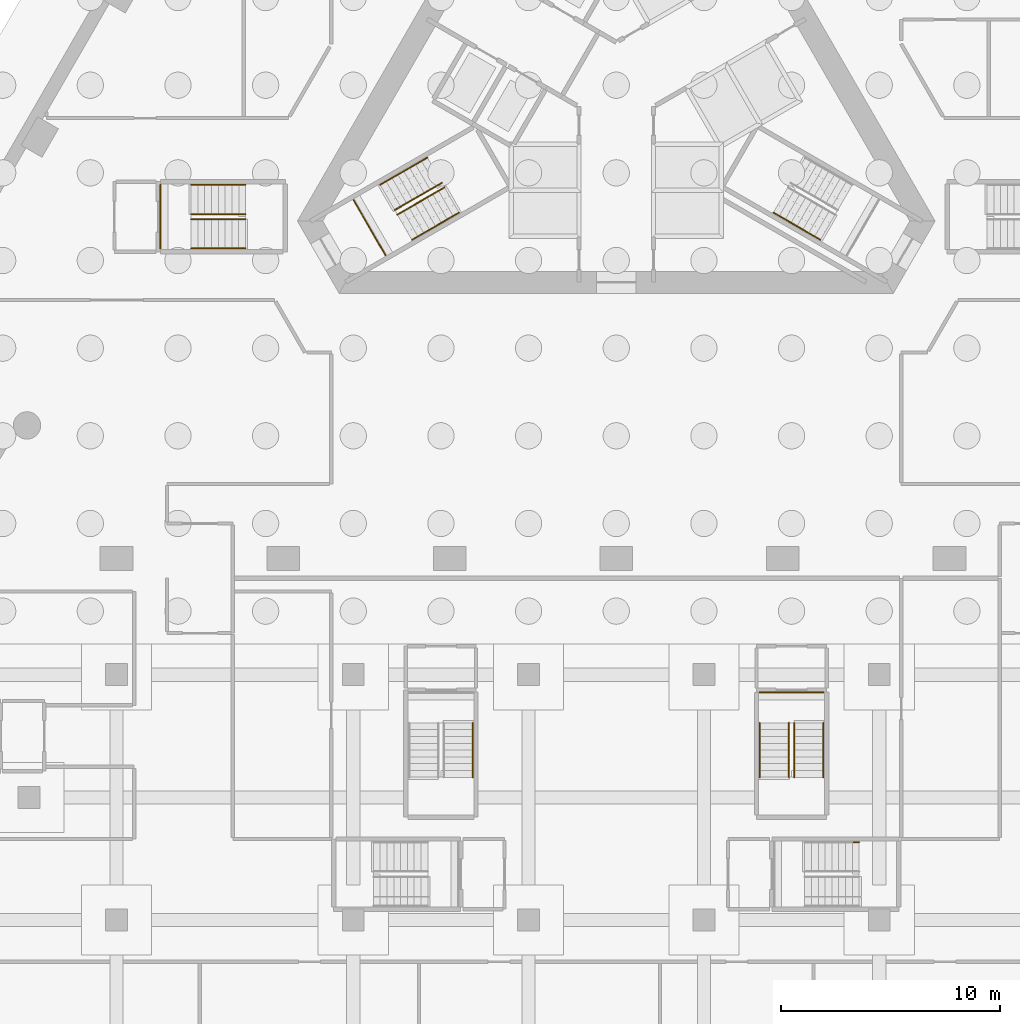
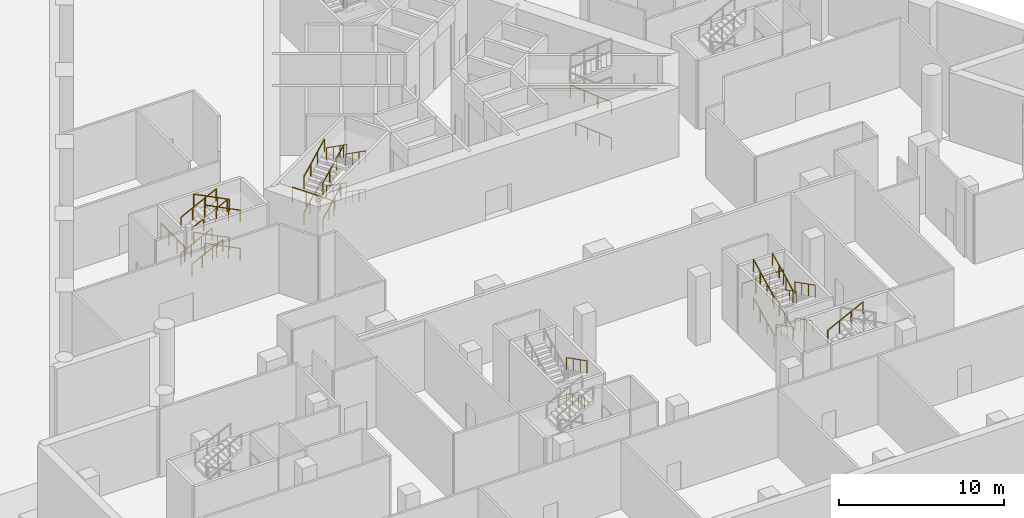
# One storey, part 17 of 20: 32 railings, 6 elements without a shape of their own.
"""IFC4 building model written with IfcOpenShell, lengths in metres."""

from ifc_helpers import new_model, si_unit, direction, frame, origin, origin_2d, place, context, subcontext, project, spatial, circle, extrude, material, type_object, element, aggregate, save


model = new_model("IFC4")

# Units and contexts
model_context = context("Model", 3, precision=1e-05, world=origin(), true_north=direction((0.0, 1.0)))
body_context = subcontext(model_context, "Body", "Model", "MODEL_VIEW")
ifc_project = project(units=[si_unit("LENGTHUNIT", "METRE"), si_unit("AREAUNIT", "SQUARE_METRE"), si_unit("VOLUMEUNIT", "CUBIC_METRE"), si_unit("PLANEANGLEUNIT", "RADIAN"), si_unit("MASSUNIT", "GRAM", prefix="KILO")], contexts=[model_context])

# Site, building, storey
site_placement = place(None, origin())
site = spatial("IfcSite", under=ifc_project, at=site_placement, CompositionType="ELEMENT")
building_placement = place(site_placement, origin())
building = spatial("IfcBuilding", under=site, at=building_placement, Name="Triada Interchange Tower", CompositionType="ELEMENT")
storey_placement = place(building_placement, frame((0.0, 0.0, -5.5)))
storey = spatial("IfcBuildingStorey", under=building, at=storey_placement, Name="B1", CompositionType="ELEMENT", Elevation=-5.5)

# Stair, railing
ifc_material_1 = material(Name="Concrete C35/45", Category="concrete")
stair_type = type_object("IfcStairType", Name="HALF TURN STAIR 1400", PredefinedType="HALF_TURN_STAIR", material=ifc_material_1)
stair_1_placement = place(storey_placement, origin())
stair_1 = element("IfcStair", 1, at=stair_1_placement, inside=storey, type_object=stair_type, Name="Exit stair SB1-2", PredefinedType="HALF_TURN_STAIR")
ifc_material_2 = material(Name="Stainless steel 1.4301", Category="steel")
railing_type_1 = type_object("IfcRailingType", Name="STAIR GUARD 1100", PredefinedType="GUARDRAIL", material=ifc_material_2)
railing_1_placement = place(storey_placement, frame((-11.98291015625, -5.243896484375, 2.67138671875)))
railing_1 = element("IfcRailing", 2, at=railing_1_placement, type_object=railing_type_1, Name="Guard SB1-2 1", PredefinedType="GUARDRAIL", context=body_context, shape_type="SweptSolid", body=[
    extrude(circle(Radius=0.02392578125, at=origin_2d()), frame((0.0, 0.0, 1.076171875), z_axis=(0.499877891294, -0.866095891802, 0.0), x_axis=(0.866095891802, 0.499877891294, 0.0)), (0.0, 0.0, 1.0), 2.900634765625),
    extrude(circle(Radius=0.02099609375, at=origin_2d()), origin(), (0.0, 0.0, 1.0), 1.052001953125),
    extrude(circle(Radius=0.02099609375, at=origin_2d()), frame((0.4833984375, -0.83740234375, 0.0)), (0.0, 0.0, 1.0), 1.052001953125),
    extrude(circle(Radius=0.02099609375, at=origin_2d()), frame((0.966552734375, -1.6748046875, 0.0)), (0.0, 0.0, 1.0), 1.052001953125),
    extrude(circle(Radius=0.02099609375, at=origin_2d()), frame((1.449951171875, -2.51220703125, 0.0)), (0.0, 0.0, 1.0), 1.052001953125),
])

stair_2_placement = place(storey_placement, origin())
stair_2 = element("IfcStair", 3, at=stair_2_placement, inside=storey, type_object=stair_type, Name="Exit stair SB1-6", PredefinedType="HALF_TURN_STAIR")
railing_2_placement = place(storey_placement, frame((-20.800048828125, -4.550048828125, 2.67138671875)))
railing_2 = element("IfcRailing", 4, at=railing_2_placement, type_object=railing_type_1, Name="Guard SB1-6 1", PredefinedType="GUARDRAIL", context=body_context, shape_type="SweptSolid", body=[
    extrude(circle(Radius=0.02392578125, at=origin_2d()), frame((0.0, 0.0, 1.076171875), z_axis=(0.0, -1.0, 0.0), x_axis=(1.0, 0.0, 0.0)), (0.0, 0.0, 1.0), 2.89990234375),
    extrude(circle(Radius=0.02099609375, at=origin_2d()), origin(), (0.0, 0.0, 1.0), 1.052001953125),
    extrude(circle(Radius=0.02099609375, at=origin_2d()), frame((0.0, -0.966552734375, 0.0)), (0.0, 0.0, 1.0), 1.052001953125),
    extrude(circle(Radius=0.02099609375, at=origin_2d()), frame((0.0, -1.933349609375, 0.0)), (0.0, 0.0, 1.0), 1.052001953125),
    extrude(circle(Radius=0.02099609375, at=origin_2d()), frame((0.0, -2.89990234375, 0.0)), (0.0, 0.0, 1.0), 1.052001953125),
])

stair_3_placement = place(storey_placement, origin())
stair_3 = element("IfcStair", 5, at=stair_3_placement, inside=storey, type_object=stair_type, Name="Exit stair SB1-10", PredefinedType="HALF_TURN_STAIR")
railing_3_placement = place(storey_placement, frame((9.449951171875, -27.699951171875, 2.67138671875)))
railing_3 = element("IfcRailing", 6, at=railing_3_placement, type_object=railing_type_1, Name="Guard SB1-10 1", PredefinedType="GUARDRAIL", context=body_context, shape_type="SweptSolid", body=[
    extrude(circle(Radius=0.02392578125, at=origin_2d()), frame((0.0, 0.0, 1.076171875), z_axis=(-1.0, 0.0, 0.0), x_axis=(0.0, -1.0, 0.0)), (0.0, 0.0, 1.0), 2.89990234375),
    extrude(circle(Radius=0.02099609375, at=origin_2d()), origin(), (0.0, 0.0, 1.0), 1.052001953125),
    extrude(circle(Radius=0.02099609375, at=origin_2d()), frame((-0.966552734375, 0.0, 0.0)), (0.0, 0.0, 1.0), 1.052001953125),
    extrude(circle(Radius=0.02099609375, at=origin_2d()), frame((-1.933349609375, 0.0, 0.0)), (0.0, 0.0, 1.0), 1.052001953125),
    extrude(circle(Radius=0.02099609375, at=origin_2d()), frame((-2.89990234375, 0.0, 0.0)), (0.0, 0.0, 1.0), 1.052001953125),
])

# Railing
railing_type_2 = type_object("IfcRailingType", Name="STAIR HANDRAIL 900", PredefinedType="HANDRAIL", material=ifc_material_2)
railing_4_placement = place(storey_placement, frame((-10.77099609375, -4.5439453125, 0.156982421875)))
railing_4 = element("IfcRailing", 7, at=railing_4_placement, type_object=railing_type_2, Name="Handrail SB1-2 1W", PredefinedType="HANDRAIL", context=body_context, shape_type="SweptSolid", body=[
    extrude(circle(Radius=0.02392578125, at=origin_2d()), frame((0.0, 0.0, 0.8759765625), z_axis=(0.772379434216, 0.446004964352, 0.452227355844), x_axis=(-0.500060114735, 0.865990693744, 0.0)), (0.0, 0.0, 1.0), 2.4326171875),
    extrude(circle(Radius=0.02099609375, at=origin_2d()), origin(), (0.0, 0.0, 1.0), 0.851806640625),
    extrude(circle(Radius=0.02099609375, at=origin_2d()), frame((0.626220703125, 0.361572265625, 0.36669921875)), (0.0, 0.0, 1.0), 0.851806640625),
    extrude(circle(Radius=0.02099609375, at=origin_2d()), frame((1.252685546875, 0.723388671875, 0.7333984375)), (0.0, 0.0, 1.0), 0.851806640625),
    extrude(circle(Radius=0.02099609375, at=origin_2d()), frame((1.87890625, 1.0849609375, 1.10009765625)), (0.0, 0.0, 1.0), 0.851806640625),
])

railing_5_placement = place(storey_placement, frame((-10.10595703125, -5.696044921875, 0.156982421875)))
railing_5 = element("IfcRailing", 8, at=railing_5_placement, type_object=railing_type_2, Name="Handrail SB1-2 1C", PredefinedType="HANDRAIL", context=body_context, shape_type="SweptSolid", body=[
    extrude(circle(Radius=0.02392578125, at=origin_2d()), frame((0.0, 0.0, 0.8759765625), z_axis=(0.772379434216, 0.446004964352, 0.452227355844), x_axis=(-0.500060114735, 0.865990693744, 0.0)), (0.0, 0.0, 1.0), 2.4326171875),
    extrude(circle(Radius=0.02099609375, at=origin_2d()), origin(), (0.0, 0.0, 1.0), 0.851806640625),
    extrude(circle(Radius=0.02099609375, at=origin_2d()), frame((0.626220703125, 0.361572265625, 0.36669921875)), (0.0, 0.0, 1.0), 0.851806640625),
    extrude(circle(Radius=0.02099609375, at=origin_2d()), frame((1.252685546875, 0.723388671875, 0.7333984375)), (0.0, 0.0, 1.0), 0.851806640625),
    extrude(circle(Radius=0.02099609375, at=origin_2d()), frame((1.87890625, 1.0849609375, 1.10009765625)), (0.0, 0.0, 1.0), 0.851806640625),
])

railing_6_placement = place(storey_placement, frame((-7.173095703125, -5.81591796875, 1.414306640625)))
railing_6 = element("IfcRailing", 9, at=railing_6_placement, type_object=railing_type_2, Name="Handrail SB1-2 2W", PredefinedType="HANDRAIL", context=body_context, shape_type="SweptSolid", body=[
    extrude(circle(Radius=0.02392578125, at=origin_2d()), frame((0.0, 0.0, 0.8759765625), z_axis=(-0.772488092846, -0.44594987765, 0.452096066158), x_axis=(0.499961042966, -0.86604789447, 0.0)), (0.0, 0.0, 1.0), 2.780517578125),
    extrude(circle(Radius=0.02099609375, at=origin_2d()), origin(), (0.0, 0.0, 1.0), 0.851806640625),
    extrude(circle(Radius=0.02099609375, at=origin_2d()), frame((-0.716064453125, -0.413330078125, 0.4189453125)), (0.0, 0.0, 1.0), 0.851806640625),
    extrude(circle(Radius=0.02099609375, at=origin_2d()), frame((-1.431884765625, -0.82666015625, 0.838134765625)), (0.0, 0.0, 1.0), 0.851806640625),
    extrude(circle(Radius=0.02099609375, at=origin_2d()), frame((-2.14794921875, -1.239990234375, 1.257080078125)), (0.0, 0.0, 1.0), 0.851806640625),
])

railing_7_placement = place(storey_placement, frame((-7.837890625, -4.6640625, 1.414306640625)))
railing_7 = element("IfcRailing", 10, at=railing_7_placement, type_object=railing_type_2, Name="Handrail SB1-2 2C", PredefinedType="HANDRAIL", context=body_context, shape_type="SweptSolid", body=[
    extrude(circle(Radius=0.02392578125, at=origin_2d()), frame((0.0, 0.0, 0.8759765625), z_axis=(-0.772523496746, -0.445919631773, 0.452065403426), x_axis=(0.499918423778, -0.866072496716, 0.0)), (0.0, 0.0, 1.0), 2.78076171875),
    extrude(circle(Radius=0.02099609375, at=origin_2d()), origin(), (0.0, 0.0, 1.0), 0.851806640625),
    extrude(circle(Radius=0.02099609375, at=origin_2d()), frame((-0.716064453125, -0.413330078125, 0.4189453125)), (0.0, 0.0, 1.0), 0.851806640625),
    extrude(circle(Radius=0.02099609375, at=origin_2d()), frame((-1.43212890625, -0.82666015625, 0.838134765625)), (0.0, 0.0, 1.0), 0.851806640625),
    extrude(circle(Radius=0.02099609375, at=origin_2d()), frame((-2.148193359375, -1.239990234375, 1.257080078125)), (0.0, 0.0, 1.0), 0.851806640625),
])

railing_8_placement = place(storey_placement, frame((-10.77099609375, -4.5439453125, 2.82861328125)))
railing_8 = element("IfcRailing", 11, at=railing_8_placement, type_object=railing_type_2, Name="Handrail SB1-2 3W", PredefinedType="HANDRAIL", context=body_context, shape_type="SweptSolid", body=[
    extrude(circle(Radius=0.02392578125, at=origin_2d()), frame((0.0, 0.0, 0.8759765625), z_axis=(0.772488092846, 0.44594987765, 0.452096066158), x_axis=(-0.499961042966, 0.86604789447, 0.0)), (0.0, 0.0, 1.0), 2.780517578125),
    extrude(circle(Radius=0.02099609375, at=origin_2d()), origin(), (0.0, 0.0, 1.0), 0.851806640625),
    extrude(circle(Radius=0.02099609375, at=origin_2d()), frame((0.716064453125, 0.413330078125, 0.4189453125)), (0.0, 0.0, 1.0), 0.851806640625),
    extrude(circle(Radius=0.02099609375, at=origin_2d()), frame((1.431884765625, 0.82666015625, 0.838134765625)), (0.0, 0.0, 1.0), 0.851806640625),
    extrude(circle(Radius=0.02099609375, at=origin_2d()), frame((2.14794921875, 1.239990234375, 1.257080078125)), (0.0, 0.0, 1.0), 0.851806640625),
])

railing_9_placement = place(storey_placement, frame((-10.10595703125, -5.696044921875, 2.82861328125)))
railing_9 = element("IfcRailing", 12, at=railing_9_placement, type_object=railing_type_2, Name="Handrail SB1-2 3C", PredefinedType="HANDRAIL", context=body_context, shape_type="SweptSolid", body=[
    extrude(circle(Radius=0.02392578125, at=origin_2d()), frame((0.0, 0.0, 0.8759765625), z_axis=(0.772488092846, 0.44594987765, 0.452096066158), x_axis=(-0.499961042966, 0.86604789447, 0.0)), (0.0, 0.0, 1.0), 2.780517578125),
    extrude(circle(Radius=0.02099609375, at=origin_2d()), origin(), (0.0, 0.0, 1.0), 0.851806640625),
    extrude(circle(Radius=0.02099609375, at=origin_2d()), frame((0.716064453125, 0.413330078125, 0.4189453125)), (0.0, 0.0, 1.0), 0.851806640625),
    extrude(circle(Radius=0.02099609375, at=origin_2d()), frame((1.431884765625, 0.82666015625, 0.838134765625)), (0.0, 0.0, 1.0), 0.851806640625),
    extrude(circle(Radius=0.02099609375, at=origin_2d()), frame((2.14794921875, 1.239990234375, 1.257080078125)), (0.0, 0.0, 1.0), 0.851806640625),
])

railing_10_placement = place(storey_placement, frame((-7.173095703125, -5.81591796875, 4.24267578125)))
railing_10 = element("IfcRailing", 13, at=railing_10_placement, type_object=railing_type_2, Name="Handrail SB1-2 4W", PredefinedType="HANDRAIL", context=body_context, shape_type="SweptSolid", body=[
    extrude(circle(Radius=0.02392578125, at=origin_2d()), frame((0.0, 0.0, 0.8759765625), z_axis=(-0.772457427584, -0.445932174892, 0.452165918625), x_axis=(0.499961042966, -0.86604789447, 0.0)), (0.0, 0.0, 1.0), 2.78076171875),
    extrude(circle(Radius=0.02099609375, at=origin_2d()), origin(), (0.0, 0.0, 1.0), 0.851806640625),
    extrude(circle(Radius=0.02099609375, at=origin_2d()), frame((-0.716064453125, -0.413330078125, 0.419189453125)), (0.0, 0.0, 1.0), 0.851806640625),
    extrude(circle(Radius=0.02099609375, at=origin_2d()), frame((-1.431884765625, -0.82666015625, 0.838134765625)), (0.0, 0.0, 1.0), 0.851806640625),
    extrude(circle(Radius=0.02099609375, at=origin_2d()), frame((-2.14794921875, -1.239990234375, 1.25732421875)), (0.0, 0.0, 1.0), 0.851806640625),
])

railing_11_placement = place(storey_placement, frame((-7.837890625, -4.6640625, 4.24267578125)))
railing_11 = element("IfcRailing", 14, at=railing_11_placement, type_object=railing_type_2, Name="Handrail SB1-2 4C", PredefinedType="HANDRAIL", context=body_context, shape_type="SweptSolid", body=[
    extrude(circle(Radius=0.02392578125, at=origin_2d()), frame((0.0, 0.0, 0.8759765625), z_axis=(-0.772492834239, -0.445901932617, 0.452135253589), x_axis=(0.499918423778, -0.866072496716, 0.0)), (0.0, 0.0, 1.0), 2.78076171875),
    extrude(circle(Radius=0.02099609375, at=origin_2d()), origin(), (0.0, 0.0, 1.0), 0.851806640625),
    extrude(circle(Radius=0.02099609375, at=origin_2d()), frame((-0.716064453125, -0.413330078125, 0.419189453125)), (0.0, 0.0, 1.0), 0.851806640625),
    extrude(circle(Radius=0.02099609375, at=origin_2d()), frame((-1.43212890625, -0.82666015625, 0.838134765625)), (0.0, 0.0, 1.0), 0.851806640625),
    extrude(circle(Radius=0.02099609375, at=origin_2d()), frame((-2.148193359375, -1.239990234375, 1.25732421875)), (0.0, 0.0, 1.0), 0.851806640625),
])

aggregate(stair_1, [railing_4, railing_5, railing_6, railing_7, railing_8, railing_9, railing_10, railing_11, railing_1])

# Stair, railings
stair_4_placement = place(storey_placement, origin())
stair_4 = element("IfcStair", 15, at=stair_4_placement, inside=storey, type_object=stair_type, Name="Exit stair SB1-3", PredefinedType="HALF_TURN_STAIR")
railing_12_placement = place(storey_placement, frame((9.321044921875, -7.055908203125, 0.156982421875)))
railing_12 = element("IfcRailing", 16, at=railing_12_placement, type_object=railing_type_2, Name="Handrail SB1-3 1W", PredefinedType="HANDRAIL", context=body_context, shape_type="SweptSolid", body=[
    extrude(circle(Radius=0.02392578125, at=origin_2d()), frame((0.0, 0.0, 0.8759765625), z_axis=(-0.772419918209, 0.445970393208, 0.452192302384), x_axis=(-0.500011390128, -0.866018827591, 0.0)), (0.0, 0.0, 1.0), 2.432861328125),
    extrude(circle(Radius=0.02099609375, at=origin_2d()), origin(), (0.0, 0.0, 1.0), 0.851806640625),
    extrude(circle(Radius=0.02099609375, at=origin_2d()), frame((-0.62646484375, 0.361572265625, 0.36669921875)), (0.0, 0.0, 1.0), 0.851806640625),
    extrude(circle(Radius=0.02099609375, at=origin_2d()), frame((-1.252685546875, 0.723388671875, 0.7333984375)), (0.0, 0.0, 1.0), 0.851806640625),
    extrude(circle(Radius=0.02099609375, at=origin_2d()), frame((-1.879150390625, 1.0849609375, 1.10009765625)), (0.0, 0.0, 1.0), 0.851806640625),
])
railing_13_placement = place(storey_placement, frame((9.321044921875, -7.055908203125, 2.82861328125)))
railing_13 = element("IfcRailing", 17, at=railing_13_placement, type_object=railing_type_2, Name="Handrail SB1-3 3W", PredefinedType="HANDRAIL", context=body_context, shape_type="SweptSolid", body=[
    extrude(circle(Radius=0.02392578125, at=origin_2d()), frame((0.0, 0.0, 0.8759765625), z_axis=(-0.772488092846, 0.44594987765, 0.452096066158), x_axis=(-0.499961042966, -0.86604789447, 0.0)), (0.0, 0.0, 1.0), 2.780517578125),
    extrude(circle(Radius=0.02099609375, at=origin_2d()), origin(), (0.0, 0.0, 1.0), 0.851806640625),
    extrude(circle(Radius=0.02099609375, at=origin_2d()), frame((-0.716064453125, 0.413330078125, 0.4189453125)), (0.0, 0.0, 1.0), 0.851806640625),
    extrude(circle(Radius=0.02099609375, at=origin_2d()), frame((-1.431884765625, 0.82666015625, 0.838134765625)), (0.0, 0.0, 1.0), 0.851806640625),
    extrude(circle(Radius=0.02099609375, at=origin_2d()), frame((-2.14794921875, 1.239990234375, 1.257080078125)), (0.0, 0.0, 1.0), 0.851806640625),
])
aggregate(stair_4, [railing_12, railing_13])

# Stair, railing
stair_5_placement = place(storey_placement, origin())
stair_5 = element("IfcStair", 18, at=stair_5_placement, inside=storey, type_object=stair_type, Name="Exit stair SB1-5", PredefinedType="HALF_TURN_STAIR")
railing_14_placement = place(storey_placement, frame((8.60009765625, -34.550048828125, 2.82861328125)))
railing_14 = element("IfcRailing", 19, at=railing_14_placement, type_object=railing_type_2, Name="Handrail SB1-5 3W", PredefinedType="HANDRAIL", context=body_context, shape_type="SweptSolid", body=[
    extrude(circle(Radius=0.02392578125, at=origin_2d()), frame((0.0, 0.0, 0.8759765625), z_axis=(0.89195504639, 0.0, 0.452124092721), x_axis=(0.0, 1.0, 0.0)), (0.0, 0.0, 1.0), 2.7802734375),
    extrude(circle(Radius=0.02099609375, at=origin_2d()), origin(), (0.0, 0.0, 1.0), 0.851806640625),
    extrude(circle(Radius=0.02099609375, at=origin_2d()), frame((0.82666015625, 0.0, 0.4189453125)), (0.0, 0.0, 1.0), 0.851806640625),
    extrude(circle(Radius=0.02099609375, at=origin_2d()), frame((1.6533203125, 0.0, 0.838134765625)), (0.0, 0.0, 1.0), 0.851806640625),
    extrude(circle(Radius=0.02099609375, at=origin_2d()), frame((2.47998046875, 0.0, 1.257080078125)), (0.0, 0.0, 1.0), 0.851806640625),
])
aggregate(stair_5, [railing_14])

# Railing
railing_15_placement = place(storey_placement, frame((-19.39990234375, -4.550048828125, 0.156982421875)))
railing_15 = element("IfcRailing", 20, at=railing_15_placement, type_object=railing_type_2, Name="Handrail SB1-6 1W", PredefinedType="HANDRAIL", context=body_context, shape_type="SweptSolid", body=[
    extrude(circle(Radius=0.02392578125, at=origin_2d()), frame((0.0, 0.0, 0.8759765625), z_axis=(0.891924622744, 0.0, 0.452184107795), x_axis=(0.0, 1.0, 0.0)), (0.0, 0.0, 1.0), 2.432861328125),
    extrude(circle(Radius=0.02099609375, at=origin_2d()), origin(), (0.0, 0.0, 1.0), 0.851806640625),
    extrude(circle(Radius=0.02099609375, at=origin_2d()), frame((0.723388671875, 0.0, 0.36669921875)), (0.0, 0.0, 1.0), 0.851806640625),
    extrude(circle(Radius=0.02099609375, at=origin_2d()), frame((1.446533203125, 0.0, 0.7333984375)), (0.0, 0.0, 1.0), 0.851806640625),
    extrude(circle(Radius=0.02099609375, at=origin_2d()), frame((2.169921875, 0.0, 1.10009765625)), (0.0, 0.0, 1.0), 0.851806640625),
])

railing_16_placement = place(storey_placement, frame((-19.39990234375, -5.8798828125, 0.156982421875)))
railing_16 = element("IfcRailing", 21, at=railing_16_placement, type_object=railing_type_2, Name="Handrail SB1-6 1C", PredefinedType="HANDRAIL", context=body_context, shape_type="SweptSolid", body=[
    extrude(circle(Radius=0.02392578125, at=origin_2d()), frame((0.0, 0.0, 0.8759765625), z_axis=(0.891924622744, 0.0, 0.452184107795), x_axis=(0.0, 1.0, 0.0)), (0.0, 0.0, 1.0), 2.432861328125),
    extrude(circle(Radius=0.02099609375, at=origin_2d()), origin(), (0.0, 0.0, 1.0), 0.851806640625),
    extrude(circle(Radius=0.02099609375, at=origin_2d()), frame((0.723388671875, 0.0, 0.36669921875)), (0.0, 0.0, 1.0), 0.851806640625),
    extrude(circle(Radius=0.02099609375, at=origin_2d()), frame((1.446533203125, 0.0, 0.7333984375)), (0.0, 0.0, 1.0), 0.851806640625),
    extrude(circle(Radius=0.02099609375, at=origin_2d()), frame((2.169921875, 0.0, 1.10009765625)), (0.0, 0.0, 1.0), 0.851806640625),
])

railing_17_placement = place(storey_placement, frame((-16.919921875, -7.449951171875, 1.414306640625)))
railing_17 = element("IfcRailing", 22, at=railing_17_placement, type_object=railing_type_2, Name="Handrail SB1-6 2W", PredefinedType="HANDRAIL", context=body_context, shape_type="SweptSolid", body=[
    extrude(circle(Radius=0.02392578125, at=origin_2d()), frame((0.0, 0.0, 0.8759765625), z_axis=(-0.89195504639, 0.0, 0.452124092721), x_axis=(0.0, -1.0, 0.0)), (0.0, 0.0, 1.0), 2.7802734375),
    extrude(circle(Radius=0.02099609375, at=origin_2d()), origin(), (0.0, 0.0, 1.0), 0.851806640625),
    extrude(circle(Radius=0.02099609375, at=origin_2d()), frame((-0.82666015625, 0.0, 0.4189453125)), (0.0, 0.0, 1.0), 0.851806640625),
    extrude(circle(Radius=0.02099609375, at=origin_2d()), frame((-1.6533203125, 0.0, 0.838134765625)), (0.0, 0.0, 1.0), 0.851806640625),
    extrude(circle(Radius=0.02099609375, at=origin_2d()), frame((-2.47998046875, 0.0, 1.257080078125)), (0.0, 0.0, 1.0), 0.851806640625),
])

railing_18_placement = place(storey_placement, frame((-16.919921875, -6.1201171875, 1.414306640625)))
railing_18 = element("IfcRailing", 23, at=railing_18_placement, type_object=railing_type_2, Name="Handrail SB1-6 2C", PredefinedType="HANDRAIL", context=body_context, shape_type="SweptSolid", body=[
    extrude(circle(Radius=0.02392578125, at=origin_2d()), frame((0.0, 0.0, 0.8759765625), z_axis=(-0.89195504639, 0.0, 0.452124092721), x_axis=(0.0, -1.0, 0.0)), (0.0, 0.0, 1.0), 2.7802734375),
    extrude(circle(Radius=0.02099609375, at=origin_2d()), origin(), (0.0, 0.0, 1.0), 0.851806640625),
    extrude(circle(Radius=0.02099609375, at=origin_2d()), frame((-0.82666015625, 0.0, 0.4189453125)), (0.0, 0.0, 1.0), 0.851806640625),
    extrude(circle(Radius=0.02099609375, at=origin_2d()), frame((-1.6533203125, 0.0, 0.838134765625)), (0.0, 0.0, 1.0), 0.851806640625),
    extrude(circle(Radius=0.02099609375, at=origin_2d()), frame((-2.47998046875, 0.0, 1.257080078125)), (0.0, 0.0, 1.0), 0.851806640625),
])

railing_19_placement = place(storey_placement, frame((-19.39990234375, -4.550048828125, 2.82861328125)))
railing_19 = element("IfcRailing", 24, at=railing_19_placement, type_object=railing_type_2, Name="Handrail SB1-6 3W", PredefinedType="HANDRAIL", context=body_context, shape_type="SweptSolid", body=[
    extrude(circle(Radius=0.02392578125, at=origin_2d()), frame((0.0, 0.0, 0.8759765625), z_axis=(0.89195504639, 0.0, 0.452124092721), x_axis=(0.0, 1.0, 0.0)), (0.0, 0.0, 1.0), 2.7802734375),
    extrude(circle(Radius=0.02099609375, at=origin_2d()), origin(), (0.0, 0.0, 1.0), 0.851806640625),
    extrude(circle(Radius=0.02099609375, at=origin_2d()), frame((0.82666015625, 0.0, 0.4189453125)), (0.0, 0.0, 1.0), 0.851806640625),
    extrude(circle(Radius=0.02099609375, at=origin_2d()), frame((1.6533203125, 0.0, 0.838134765625)), (0.0, 0.0, 1.0), 0.851806640625),
    extrude(circle(Radius=0.02099609375, at=origin_2d()), frame((2.47998046875, 0.0, 1.257080078125)), (0.0, 0.0, 1.0), 0.851806640625),
])

railing_20_placement = place(storey_placement, frame((-19.39990234375, -5.8798828125, 2.82861328125)))
railing_20 = element("IfcRailing", 25, at=railing_20_placement, type_object=railing_type_2, Name="Handrail SB1-6 3C", PredefinedType="HANDRAIL", context=body_context, shape_type="SweptSolid", body=[
    extrude(circle(Radius=0.02392578125, at=origin_2d()), frame((0.0, 0.0, 0.8759765625), z_axis=(0.89195504639, 0.0, 0.452124092721), x_axis=(0.0, 1.0, 0.0)), (0.0, 0.0, 1.0), 2.7802734375),
    extrude(circle(Radius=0.02099609375, at=origin_2d()), origin(), (0.0, 0.0, 1.0), 0.851806640625),
    extrude(circle(Radius=0.02099609375, at=origin_2d()), frame((0.82666015625, 0.0, 0.4189453125)), (0.0, 0.0, 1.0), 0.851806640625),
    extrude(circle(Radius=0.02099609375, at=origin_2d()), frame((1.6533203125, 0.0, 0.838134765625)), (0.0, 0.0, 1.0), 0.851806640625),
    extrude(circle(Radius=0.02099609375, at=origin_2d()), frame((2.47998046875, 0.0, 1.257080078125)), (0.0, 0.0, 1.0), 0.851806640625),
])

railing_21_placement = place(storey_placement, frame((-16.919921875, -7.449951171875, 4.24267578125)))
railing_21 = element("IfcRailing", 26, at=railing_21_placement, type_object=railing_type_2, Name="Handrail SB1-6 4W", PredefinedType="HANDRAIL", context=body_context, shape_type="SweptSolid", body=[
    extrude(circle(Radius=0.02392578125, at=origin_2d()), frame((0.0, 0.0, 0.8759765625), z_axis=(-0.89191963429, 0.0, 0.452193947292), x_axis=(0.0, -1.0, 0.0)), (0.0, 0.0, 1.0), 2.780517578125),
    extrude(circle(Radius=0.02099609375, at=origin_2d()), origin(), (0.0, 0.0, 1.0), 0.851806640625),
    extrude(circle(Radius=0.02099609375, at=origin_2d()), frame((-0.82666015625, 0.0, 0.419189453125)), (0.0, 0.0, 1.0), 0.851806640625),
    extrude(circle(Radius=0.02099609375, at=origin_2d()), frame((-1.6533203125, 0.0, 0.838134765625)), (0.0, 0.0, 1.0), 0.851806640625),
    extrude(circle(Radius=0.02099609375, at=origin_2d()), frame((-2.47998046875, 0.0, 1.25732421875)), (0.0, 0.0, 1.0), 0.851806640625),
])

railing_22_placement = place(storey_placement, frame((-16.919921875, -6.1201171875, 4.24267578125)))
railing_22 = element("IfcRailing", 27, at=railing_22_placement, type_object=railing_type_2, Name="Handrail SB1-6 4C", PredefinedType="HANDRAIL", context=body_context, shape_type="SweptSolid", body=[
    extrude(circle(Radius=0.02392578125, at=origin_2d()), frame((0.0, 0.0, 0.8759765625), z_axis=(-0.89191963429, 0.0, 0.452193947292), x_axis=(0.0, -1.0, 0.0)), (0.0, 0.0, 1.0), 2.780517578125),
    extrude(circle(Radius=0.02099609375, at=origin_2d()), origin(), (0.0, 0.0, 1.0), 0.851806640625),
    extrude(circle(Radius=0.02099609375, at=origin_2d()), frame((-0.82666015625, 0.0, 0.419189453125)), (0.0, 0.0, 1.0), 0.851806640625),
    extrude(circle(Radius=0.02099609375, at=origin_2d()), frame((-1.6533203125, 0.0, 0.838134765625)), (0.0, 0.0, 1.0), 0.851806640625),
    extrude(circle(Radius=0.02099609375, at=origin_2d()), frame((-2.47998046875, 0.0, 1.25732421875)), (0.0, 0.0, 1.0), 0.851806640625),
])

aggregate(stair_2, [railing_15, railing_16, railing_17, railing_18, railing_19, railing_20, railing_21, railing_22, railing_2])

railing_23_placement = place(storey_placement, frame((9.449951171875, -29.10009765625, 0.156982421875)))
railing_23 = element("IfcRailing", 28, at=railing_23_placement, type_object=railing_type_2, Name="Handrail SB1-10 1W", PredefinedType="HANDRAIL", context=body_context, shape_type="SweptSolid", body=[
    extrude(circle(Radius=0.02392578125, at=origin_2d()), frame((0.0, 0.0, 0.8759765625), z_axis=(0.0, -0.891924622744, 0.452184107795), x_axis=(1.0, 0.0, 0.0)), (0.0, 0.0, 1.0), 2.432861328125),
    extrude(circle(Radius=0.02099609375, at=origin_2d()), origin(), (0.0, 0.0, 1.0), 0.851806640625),
    extrude(circle(Radius=0.02099609375, at=origin_2d()), frame((0.0, -0.723388671875, 0.36669921875)), (0.0, 0.0, 1.0), 0.851806640625),
    extrude(circle(Radius=0.02099609375, at=origin_2d()), frame((0.0, -1.446533203125, 0.7333984375)), (0.0, 0.0, 1.0), 0.851806640625),
    extrude(circle(Radius=0.02099609375, at=origin_2d()), frame((0.0, -2.169921875, 1.10009765625)), (0.0, 0.0, 1.0), 0.851806640625),
])

railing_24_placement = place(storey_placement, frame((8.1201171875, -29.10009765625, 0.156982421875)))
railing_24 = element("IfcRailing", 29, at=railing_24_placement, type_object=railing_type_2, Name="Handrail SB1-10 1C", PredefinedType="HANDRAIL", context=body_context, shape_type="SweptSolid", body=[
    extrude(circle(Radius=0.02392578125, at=origin_2d()), frame((0.0, 0.0, 0.8759765625), z_axis=(0.0, -0.891924622744, 0.452184107795), x_axis=(1.0, 0.0, 0.0)), (0.0, 0.0, 1.0), 2.432861328125),
    extrude(circle(Radius=0.02099609375, at=origin_2d()), origin(), (0.0, 0.0, 1.0), 0.851806640625),
    extrude(circle(Radius=0.02099609375, at=origin_2d()), frame((0.0, -0.723388671875, 0.36669921875)), (0.0, 0.0, 1.0), 0.851806640625),
    extrude(circle(Radius=0.02099609375, at=origin_2d()), frame((0.0, -1.446533203125, 0.7333984375)), (0.0, 0.0, 1.0), 0.851806640625),
    extrude(circle(Radius=0.02099609375, at=origin_2d()), frame((0.0, -2.169921875, 1.10009765625)), (0.0, 0.0, 1.0), 0.851806640625),
])

railing_25_placement = place(storey_placement, frame((6.550048828125, -31.580078125, 1.414306640625)))
railing_25 = element("IfcRailing", 30, at=railing_25_placement, type_object=railing_type_2, Name="Handrail SB1-10 2W", PredefinedType="HANDRAIL", context=body_context, shape_type="SweptSolid", body=[
    extrude(circle(Radius=0.02392578125, at=origin_2d()), frame((0.0, 0.0, 0.8759765625), z_axis=(0.0, 0.89195504639, 0.452124092721), x_axis=(-1.0, 0.0, 0.0)), (0.0, 0.0, 1.0), 2.7802734375),
    extrude(circle(Radius=0.02099609375, at=origin_2d()), origin(), (0.0, 0.0, 1.0), 0.851806640625),
    extrude(circle(Radius=0.02099609375, at=origin_2d()), frame((0.0, 0.82666015625, 0.4189453125)), (0.0, 0.0, 1.0), 0.851806640625),
    extrude(circle(Radius=0.02099609375, at=origin_2d()), frame((0.0, 1.6533203125, 0.838134765625)), (0.0, 0.0, 1.0), 0.851806640625),
    extrude(circle(Radius=0.02099609375, at=origin_2d()), frame((0.0, 2.47998046875, 1.257080078125)), (0.0, 0.0, 1.0), 0.851806640625),
])

railing_26_placement = place(storey_placement, frame((7.8798828125, -31.580078125, 1.414306640625)))
railing_26 = element("IfcRailing", 31, at=railing_26_placement, type_object=railing_type_2, Name="Handrail SB1-10 2C", PredefinedType="HANDRAIL", context=body_context, shape_type="SweptSolid", body=[
    extrude(circle(Radius=0.02392578125, at=origin_2d()), frame((0.0, 0.0, 0.8759765625), z_axis=(0.0, 0.89195504639, 0.452124092721), x_axis=(-1.0, 0.0, 0.0)), (0.0, 0.0, 1.0), 2.7802734375),
    extrude(circle(Radius=0.02099609375, at=origin_2d()), origin(), (0.0, 0.0, 1.0), 0.851806640625),
    extrude(circle(Radius=0.02099609375, at=origin_2d()), frame((0.0, 0.82666015625, 0.4189453125)), (0.0, 0.0, 1.0), 0.851806640625),
    extrude(circle(Radius=0.02099609375, at=origin_2d()), frame((0.0, 1.6533203125, 0.838134765625)), (0.0, 0.0, 1.0), 0.851806640625),
    extrude(circle(Radius=0.02099609375, at=origin_2d()), frame((0.0, 2.47998046875, 1.257080078125)), (0.0, 0.0, 1.0), 0.851806640625),
])

railing_27_placement = place(storey_placement, frame((9.449951171875, -29.10009765625, 2.82861328125)))
railing_27 = element("IfcRailing", 32, at=railing_27_placement, type_object=railing_type_2, Name="Handrail SB1-10 3W", PredefinedType="HANDRAIL", context=body_context, shape_type="SweptSolid", body=[
    extrude(circle(Radius=0.02392578125, at=origin_2d()), frame((0.0, 0.0, 0.8759765625), z_axis=(0.0, -0.89195504639, 0.452124092721), x_axis=(1.0, 0.0, 0.0)), (0.0, 0.0, 1.0), 2.7802734375),
    extrude(circle(Radius=0.02099609375, at=origin_2d()), origin(), (0.0, 0.0, 1.0), 0.851806640625),
    extrude(circle(Radius=0.02099609375, at=origin_2d()), frame((0.0, -0.82666015625, 0.4189453125)), (0.0, 0.0, 1.0), 0.851806640625),
    extrude(circle(Radius=0.02099609375, at=origin_2d()), frame((0.0, -1.6533203125, 0.838134765625)), (0.0, 0.0, 1.0), 0.851806640625),
    extrude(circle(Radius=0.02099609375, at=origin_2d()), frame((0.0, -2.47998046875, 1.257080078125)), (0.0, 0.0, 1.0), 0.851806640625),
])

railing_28_placement = place(storey_placement, frame((8.1201171875, -29.10009765625, 2.82861328125)))
railing_28 = element("IfcRailing", 33, at=railing_28_placement, type_object=railing_type_2, Name="Handrail SB1-10 3C", PredefinedType="HANDRAIL", context=body_context, shape_type="SweptSolid", body=[
    extrude(circle(Radius=0.02392578125, at=origin_2d()), frame((0.0, 0.0, 0.8759765625), z_axis=(0.0, -0.89195504639, 0.452124092721), x_axis=(1.0, 0.0, 0.0)), (0.0, 0.0, 1.0), 2.7802734375),
    extrude(circle(Radius=0.02099609375, at=origin_2d()), origin(), (0.0, 0.0, 1.0), 0.851806640625),
    extrude(circle(Radius=0.02099609375, at=origin_2d()), frame((0.0, -0.82666015625, 0.4189453125)), (0.0, 0.0, 1.0), 0.851806640625),
    extrude(circle(Radius=0.02099609375, at=origin_2d()), frame((0.0, -1.6533203125, 0.838134765625)), (0.0, 0.0, 1.0), 0.851806640625),
    extrude(circle(Radius=0.02099609375, at=origin_2d()), frame((0.0, -2.47998046875, 1.257080078125)), (0.0, 0.0, 1.0), 0.851806640625),
])

railing_29_placement = place(storey_placement, frame((6.550048828125, -31.580078125, 4.24267578125)))
railing_29 = element("IfcRailing", 34, at=railing_29_placement, type_object=railing_type_2, Name="Handrail SB1-10 4W", PredefinedType="HANDRAIL", context=body_context, shape_type="SweptSolid", body=[
    extrude(circle(Radius=0.02392578125, at=origin_2d()), frame((0.0, 0.0, 0.8759765625), z_axis=(0.0, 0.89191963429, 0.452193947292), x_axis=(-1.0, 0.0, 0.0)), (0.0, 0.0, 1.0), 2.780517578125),
    extrude(circle(Radius=0.02099609375, at=origin_2d()), origin(), (0.0, 0.0, 1.0), 0.851806640625),
    extrude(circle(Radius=0.02099609375, at=origin_2d()), frame((0.0, 0.82666015625, 0.419189453125)), (0.0, 0.0, 1.0), 0.851806640625),
    extrude(circle(Radius=0.02099609375, at=origin_2d()), frame((0.0, 1.6533203125, 0.838134765625)), (0.0, 0.0, 1.0), 0.851806640625),
    extrude(circle(Radius=0.02099609375, at=origin_2d()), frame((0.0, 2.47998046875, 1.25732421875)), (0.0, 0.0, 1.0), 0.851806640625),
])

railing_30_placement = place(storey_placement, frame((7.8798828125, -31.580078125, 4.24267578125)))
railing_30 = element("IfcRailing", 35, at=railing_30_placement, type_object=railing_type_2, Name="Handrail SB1-10 4C", PredefinedType="HANDRAIL", context=body_context, shape_type="SweptSolid", body=[
    extrude(circle(Radius=0.02392578125, at=origin_2d()), frame((0.0, 0.0, 0.8759765625), z_axis=(0.0, 0.89191963429, 0.452193947292), x_axis=(-1.0, 0.0, 0.0)), (0.0, 0.0, 1.0), 2.780517578125),
    extrude(circle(Radius=0.02099609375, at=origin_2d()), origin(), (0.0, 0.0, 1.0), 0.851806640625),
    extrude(circle(Radius=0.02099609375, at=origin_2d()), frame((0.0, 0.82666015625, 0.419189453125)), (0.0, 0.0, 1.0), 0.851806640625),
    extrude(circle(Radius=0.02099609375, at=origin_2d()), frame((0.0, 1.6533203125, 0.838134765625)), (0.0, 0.0, 1.0), 0.851806640625),
    extrude(circle(Radius=0.02099609375, at=origin_2d()), frame((0.0, 2.47998046875, 1.25732421875)), (0.0, 0.0, 1.0), 0.851806640625),
])

aggregate(stair_3, [railing_23, railing_24, railing_25, railing_26, railing_27, railing_28, railing_29, railing_30, railing_3])

# Stair, railings
stair_6_placement = place(storey_placement, origin())
stair_6 = element("IfcStair", 36, at=stair_6_placement, inside=storey, type_object=stair_type, Name="Exit stair SB1-11", PredefinedType="HALF_TURN_STAIR")
railing_31_placement = place(storey_placement, frame((-6.550048828125, -29.10009765625, 0.156982421875)))
railing_31 = element("IfcRailing", 37, at=railing_31_placement, type_object=railing_type_2, Name="Handrail SB1-11 1W", PredefinedType="HANDRAIL", context=body_context, shape_type="SweptSolid", body=[
    extrude(circle(Radius=0.02392578125, at=origin_2d()), frame((0.0, 0.0, 0.8759765625), z_axis=(0.0, -0.891924622744, 0.452184107795), x_axis=(1.0, 0.0, 0.0)), (0.0, 0.0, 1.0), 2.432861328125),
    extrude(circle(Radius=0.02099609375, at=origin_2d()), origin(), (0.0, 0.0, 1.0), 0.851806640625),
    extrude(circle(Radius=0.02099609375, at=origin_2d()), frame((0.0, -0.723388671875, 0.36669921875)), (0.0, 0.0, 1.0), 0.851806640625),
    extrude(circle(Radius=0.02099609375, at=origin_2d()), frame((0.0, -1.446533203125, 0.7333984375)), (0.0, 0.0, 1.0), 0.851806640625),
    extrude(circle(Radius=0.02099609375, at=origin_2d()), frame((0.0, -2.169921875, 1.10009765625)), (0.0, 0.0, 1.0), 0.851806640625),
])
railing_32_placement = place(storey_placement, frame((-6.550048828125, -29.10009765625, 2.82861328125)))
railing_32 = element("IfcRailing", 38, at=railing_32_placement, type_object=railing_type_2, Name="Handrail SB1-11 3W", PredefinedType="HANDRAIL", context=body_context, shape_type="SweptSolid", body=[
    extrude(circle(Radius=0.02392578125, at=origin_2d()), frame((0.0, 0.0, 0.8759765625), z_axis=(0.0, -0.89195504639, 0.452124092721), x_axis=(1.0, 0.0, 0.0)), (0.0, 0.0, 1.0), 2.7802734375),
    extrude(circle(Radius=0.02099609375, at=origin_2d()), origin(), (0.0, 0.0, 1.0), 0.851806640625),
    extrude(circle(Radius=0.02099609375, at=origin_2d()), frame((0.0, -0.82666015625, 0.4189453125)), (0.0, 0.0, 1.0), 0.851806640625),
    extrude(circle(Radius=0.02099609375, at=origin_2d()), frame((0.0, -1.6533203125, 0.838134765625)), (0.0, 0.0, 1.0), 0.851806640625),
    extrude(circle(Radius=0.02099609375, at=origin_2d()), frame((0.0, -2.47998046875, 1.257080078125)), (0.0, 0.0, 1.0), 0.851806640625),
])
aggregate(stair_6, [railing_31, railing_32])

save(model, "model.ifc")
